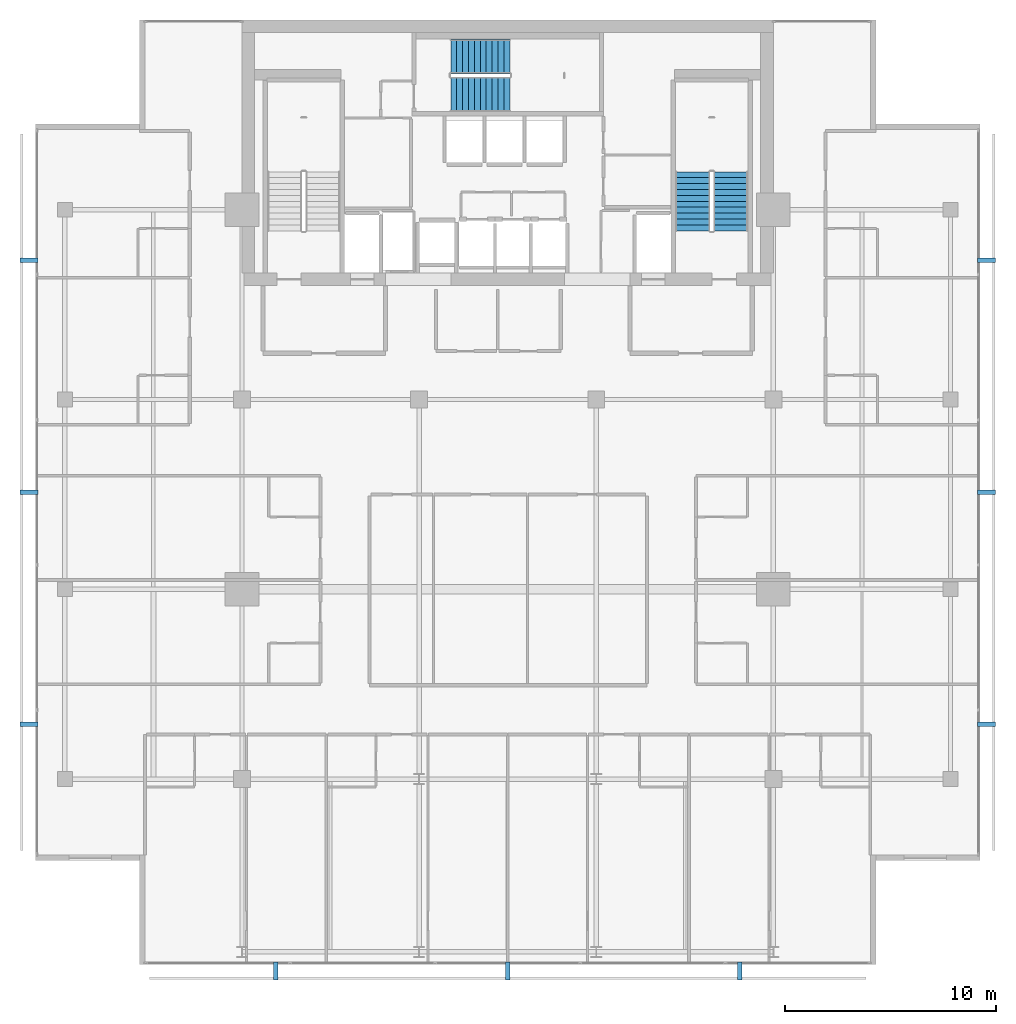
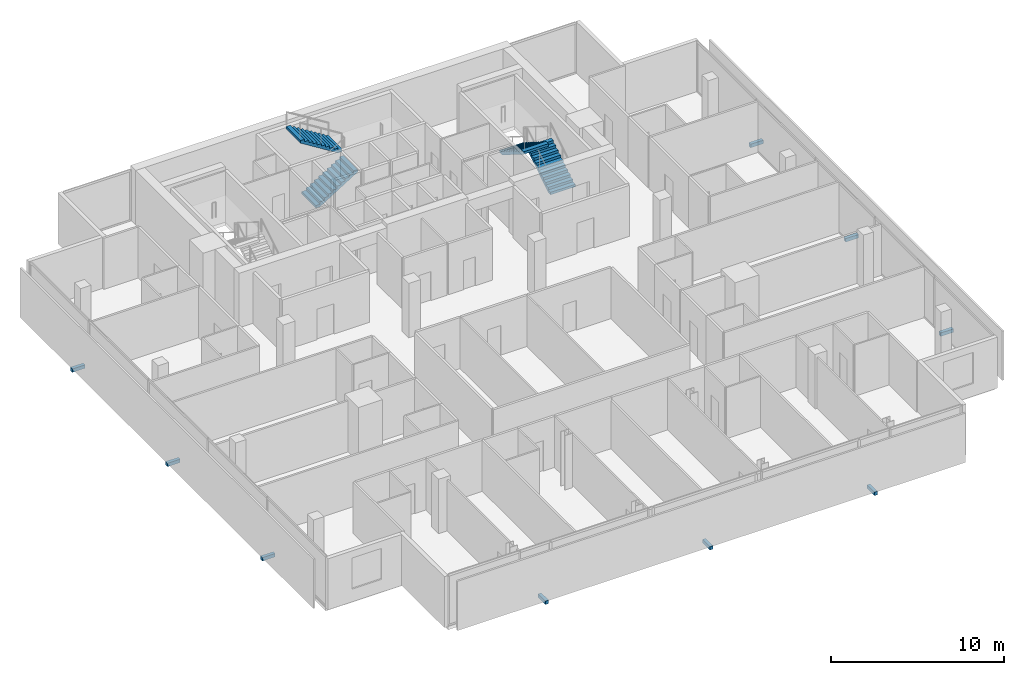
# One storey, part 24 of 26: 9 discrete accessories, 4 stair flights, 2 elements without a shape of their own.
"""IFC4 building model written with IfcOpenShell, lengths in metres."""

from ifc_helpers import new_model, si_unit, direction, frame, origin, origin_2d, place, context, subcontext, project, spatial, polyline, rectangle, outline, extrude, material, type_object, element, aggregate, save


model = new_model("IFC4")

# Units and contexts
model_context = context("Model", 3, precision=1e-05, world=origin(), true_north=direction((0.0, 1.0)))
body_context = subcontext(model_context, "Body", "Model", "MODEL_VIEW")
ifc_project = project(units=[si_unit("LENGTHUNIT", "METRE"), si_unit("AREAUNIT", "SQUARE_METRE"), si_unit("VOLUMEUNIT", "CUBIC_METRE"), si_unit("PLANEANGLEUNIT", "RADIAN"), si_unit("MASSUNIT", "GRAM", prefix="KILO")], contexts=[model_context])

# Site, building, storey
site_placement = place(None, origin())
site = spatial("IfcSite", under=ifc_project, at=site_placement, CompositionType="ELEMENT")
building_placement = place(site_placement, origin())
building = spatial("IfcBuilding", under=site, at=building_placement, Name="Maruvema Waterfront Hotel and Observation Tower", CompositionType="ELEMENT")
storey_placement = place(building_placement, frame((0.0, 0.0, 254.800048828125)))
storey = spatial("IfcBuildingStorey", under=building, at=storey_placement, Name="L62", CompositionType="ELEMENT", Elevation=254.800048828125)

# Stair, stair flights
ifc_material_1 = material(Name="Concrete C50/60", Category="concrete")
stair_type = type_object("IfcStairType", Name="Dogleg Exit Stair 1650 mm (22R x 175.0 mm)", PredefinedType="HALF_TURN_STAIR", material=ifc_material_1)
stair_1_placement = place(storey_placement, origin())
stair_1 = element("IfcStair", 1, at=stair_1_placement, inside=storey, type_object=stair_type, Name="L62 ST-02", PredefinedType="HALF_TURN_STAIR")
ifc_material_2 = material(Name="Concrete C50/60", Category="concrete")
stair_flight_type = type_object("IfcStairFlightType", Name="Reinforced Concrete Stair Flight 1650 mm (11R x 175.0 mm)", PredefinedType="STRAIGHT", material=ifc_material_2)
stair_flight_1_placement = place(storey_placement, frame((35.10009765625, 50.47509765625, 0.0), z_axis=(0.0, 0.0, 1.0), x_axis=(1.0, 0.0, 0.0)))
stair_flight_1 = element("IfcStairFlight", 2, at=stair_flight_1_placement, type_object=stair_flight_type, Name="ST-02 flight 1", NumberOfRisers=11, NumberOfTreads=10, PredefinedType="STRAIGHT", RiserHeight=0.175, TreadLength=0.28, context=body_context, shape_type="SweptSolid", body=[
    extrude(outline(polyline([(0.0, 0.0), (0.0, 0.175048828125), (0.280029296875, 0.175048828125), (0.280029296875, 0.35009765625), (0.56005859375, 0.35009765625), (0.56005859375, 0.52490234375), (0.840087890625, 0.52490234375), (0.840087890625, 0.699951171875), (1.1201171875, 0.699951171875), (1.1201171875, 0.875), (1.39990234375, 0.875), (1.39990234375, 1.050048828125), (1.679931640625, 1.050048828125), (1.679931640625, 1.22509765625), (1.9599609375, 1.22509765625), (1.9599609375, 1.39990234375), (2.239990234375, 1.39990234375), (2.239990234375, 1.574951171875), (2.52001953125, 1.574951171875), (2.52001953125, 1.75), (2.800048828125, 1.75), (2.800048828125, 1.925048828125), (2.800048828125, 1.5732421875), (0.28271484375, 0.0), (0.0, 0.0)])), frame((0.0, 0.824951171875, 0.0), z_axis=(0.0, -1.0, 0.0), x_axis=(1.0, 0.0, 0.0)), (0.0, 0.0, 1.0), 1.64990234375),
])
stair_flight_2_placement = place(storey_placement, frame((37.89990234375, 52.27490234375, 1.925048828125), z_axis=(0.0, 0.0, 1.0), x_axis=(-1.0, 0.0, 0.0)))
stair_flight_2 = element("IfcStairFlight", 3, at=stair_flight_2_placement, type_object=stair_flight_type, Name="ST-02 flight 2", NumberOfRisers=11, NumberOfTreads=10, PredefinedType="STRAIGHT", RiserHeight=0.175, TreadLength=0.28, context=body_context, shape_type="SweptSolid", body=[
    extrude(outline(polyline([(0.0, 0.0), (0.0, 0.175048828125), (0.280029296875, 0.175048828125), (0.280029296875, 0.35009765625), (0.56005859375, 0.35009765625), (0.56005859375, 0.52490234375), (0.840087890625, 0.52490234375), (0.840087890625, 0.699951171875), (1.1201171875, 0.699951171875), (1.1201171875, 0.875), (1.39990234375, 0.875), (1.39990234375, 1.050048828125), (1.679931640625, 1.050048828125), (1.679931640625, 1.22509765625), (1.9599609375, 1.22509765625), (1.9599609375, 1.39990234375), (2.239990234375, 1.39990234375), (2.239990234375, 1.574951171875), (2.52001953125, 1.574951171875), (2.52001953125, 1.75), (2.800048828125, 1.75), (2.800048828125, 1.925048828125), (2.800048828125, 1.5732421875), (0.28271484375, 0.0), (0.0, 0.0)])), frame((0.0, 0.824951171875, 0.0), z_axis=(0.0, -1.0, 0.0), x_axis=(1.0, 0.0, 0.0)), (0.0, 0.0, 1.0), 1.64990234375),
])
aggregate(stair_1, [stair_flight_1, stair_flight_2])

stair_2_placement = place(storey_placement, origin())
stair_2 = element("IfcStair", 4, at=stair_2_placement, inside=storey, type_object=stair_type, Name="L62 ST-03", PredefinedType="HALF_TURN_STAIR")
stair_flight_3_placement = place(storey_placement, frame((48.375, 44.0, 0.0), z_axis=(0.0, 0.0, 1.0), x_axis=(0.0, 1.0, 0.0)))
stair_flight_3 = element("IfcStairFlight", 5, at=stair_flight_3_placement, type_object=stair_flight_type, Name="ST-03 flight 1", NumberOfRisers=11, NumberOfTreads=10, PredefinedType="STRAIGHT", RiserHeight=0.175, TreadLength=0.28, context=body_context, shape_type="SweptSolid", body=[
    extrude(outline(polyline([(0.0, 0.0), (0.0, 0.175048828125), (0.280029296875, 0.175048828125), (0.280029296875, 0.35009765625), (0.56005859375, 0.35009765625), (0.56005859375, 0.52490234375), (0.840087890625, 0.52490234375), (0.840087890625, 0.699951171875), (1.1201171875, 0.699951171875), (1.1201171875, 0.875), (1.39990234375, 0.875), (1.39990234375, 1.050048828125), (1.679931640625, 1.050048828125), (1.679931640625, 1.22509765625), (1.9599609375, 1.22509765625), (1.9599609375, 1.39990234375), (2.239990234375, 1.39990234375), (2.239990234375, 1.574951171875), (2.52001953125, 1.574951171875), (2.52001953125, 1.75), (2.800048828125, 1.75), (2.800048828125, 1.925048828125), (2.800048828125, 1.5732421875), (0.28271484375, 0.0), (0.0, 0.0)])), frame((0.0, 0.824951171875, 0.0), z_axis=(0.0, -1.0, 0.0), x_axis=(1.0, 0.0, 0.0)), (0.0, 0.0, 1.0), 1.64990234375),
])
stair_flight_4_placement = place(storey_placement, frame((46.574951171875, 46.800048828125, 1.925048828125), z_axis=(0.0, 0.0, 1.0), x_axis=(0.0, -1.0, 0.0)))
stair_flight_4 = element("IfcStairFlight", 6, at=stair_flight_4_placement, type_object=stair_flight_type, Name="ST-03 flight 2", NumberOfRisers=11, NumberOfTreads=10, PredefinedType="STRAIGHT", RiserHeight=0.175, TreadLength=0.28, context=body_context, shape_type="SweptSolid", body=[
    extrude(outline(polyline([(0.0, 0.0), (0.0, 0.175048828125), (0.280029296875, 0.175048828125), (0.280029296875, 0.35009765625), (0.56005859375, 0.35009765625), (0.56005859375, 0.52490234375), (0.840087890625, 0.52490234375), (0.840087890625, 0.699951171875), (1.1201171875, 0.699951171875), (1.1201171875, 0.875), (1.39990234375, 0.875), (1.39990234375, 1.050048828125), (1.679931640625, 1.050048828125), (1.679931640625, 1.22509765625), (1.9599609375, 1.22509765625), (1.9599609375, 1.39990234375), (2.239990234375, 1.39990234375), (2.239990234375, 1.574951171875), (2.52001953125, 1.574951171875), (2.52001953125, 1.75), (2.800048828125, 1.75), (2.800048828125, 1.925048828125), (2.800048828125, 1.5732421875), (0.28271484375, 0.0), (0.0, 0.0)])), frame((0.0, 0.824951171875, 0.0), z_axis=(0.0, -1.0, 0.0), x_axis=(1.0, 0.0, 0.0)), (0.0, 0.0, 1.0), 1.64990234375),
])
aggregate(stair_2, [stair_flight_3, stair_flight_4])

# Discrete accessories
ifc_material_3 = material(Name="Duplex stainless steel Grade 2205", Category="steel")
discrete_accessory_type = type_object("IfcDiscreteAccessoryType", Name="Double-Skin Cavity Stainless Outrigger Bracket", PredefinedType="BRACKET", material=ifc_material_3)
for number, where, z_axis, x_axis, name in (
    (7, (26.7919921875, 8.89990234375, -0.14013671875), (0.0, 0.0, 1.0), (1.0, 0.0, 0.0), "L62 Outer Skin Support Bracket 1"),
    (8, (37.800048828125, 8.89990234375, -0.14013671875), (0.0, 0.0, 1.0), (1.0, 0.0, 0.0), "L62 Outer Skin Support Bracket 2"),
    (9, (48.80810546875, 8.89990234375, -0.14013671875), (0.0, 0.0, 1.0), (1.0, 0.0, 0.0), "L62 Outer Skin Support Bracket 3"),
    (10, (60.5, 20.592041015625, -0.14013671875), (0.0, 0.0, 1.0), (0.0, 1.0, 0.0), "L62 Outer Skin Support Bracket 1"),
    (11, (60.5, 31.60009765625, -0.14013671875), (0.0, 0.0, 1.0), (0.0, 1.0, 0.0), "L62 Outer Skin Support Bracket 2"),
    (12, (60.5, 42.60791015625, -0.14013671875), (0.0, 0.0, 1.0), (0.0, 1.0, 0.0), "L62 Outer Skin Support Bracket 3"),
    (13, (15.10009765625, 42.60791015625, -0.14013671875), (0.0, 0.0, 1.0), (0.0, -1.0, 0.0), "L62 Outer Skin Support Bracket 1"),
    (14, (15.10009765625, 31.60009765625, -0.14013671875), (0.0, 0.0, 1.0), (0.0, -1.0, 0.0), "L62 Outer Skin Support Bracket 2"),
    (15, (15.10009765625, 20.592041015625, -0.14013671875), (0.0, 0.0, 1.0), (0.0, -1.0, 0.0), "L62 Outer Skin Support Bracket 3"),
):
    element("IfcDiscreteAccessory", number, at=place(storey_placement, frame(where, z_axis=z_axis, x_axis=x_axis)), inside=storey, type_object=discrete_accessory_type, Name=name, PredefinedType="BRACKET", context=body_context, shape_type="SweptSolid", body=[
        extrude(rectangle(XDim=0.219970703125, YDim=0.860107421875, at=origin_2d()), origin(), (0.0, 0.0, 1.0), 0.239990234375),
    ])

save(model, "model.ifc")
